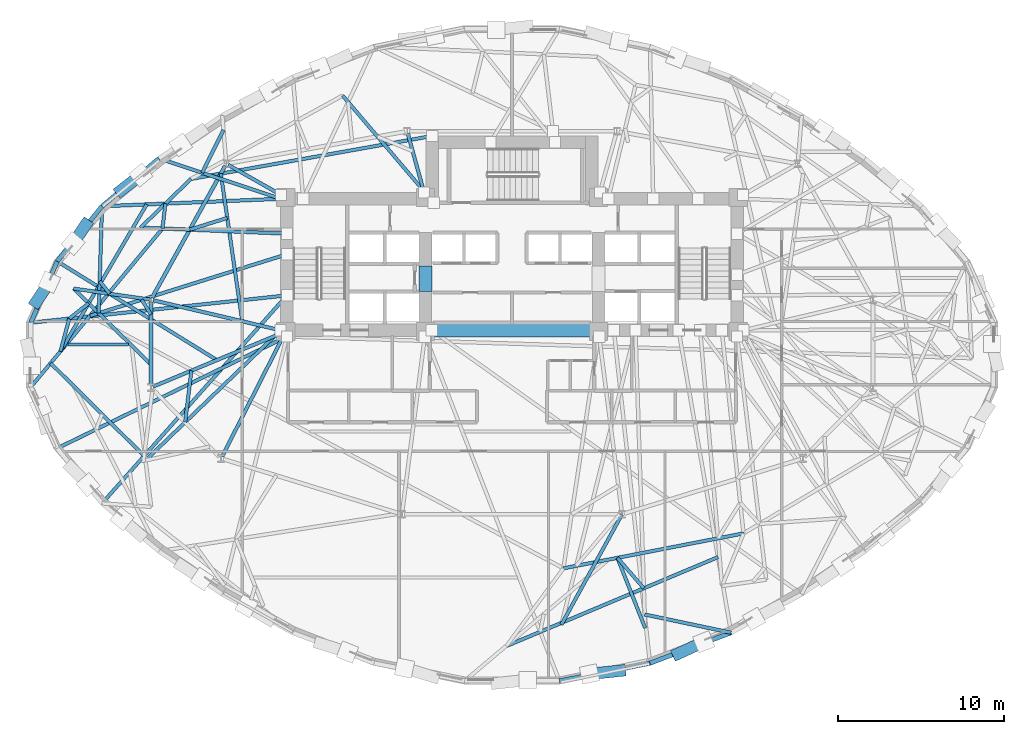
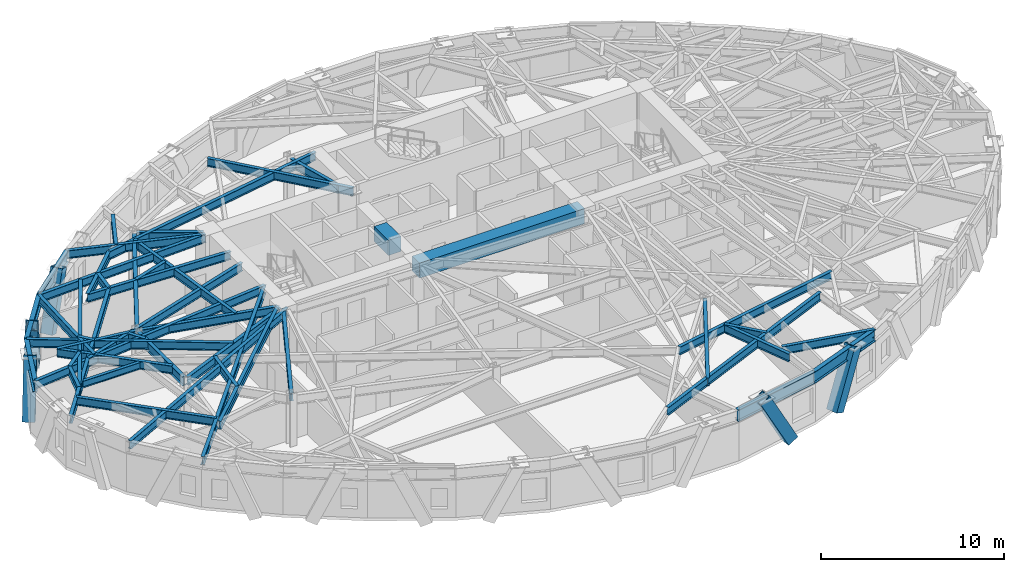
# One storey, part 2 of 14: 48 beams, 5 members.
"""IFC4 building model written with IfcOpenShell, lengths in metres."""

from ifc_helpers import new_model, si_unit, direction, frame, origin, origin_2d, place, context, subcontext, project, spatial, rectangle, hollow_rectangle, i_section, extrude, material, material_profile, profile_set, type_object, element, save


model = new_model("IFC4")

# Units and contexts
model_context = context("Model", 3, precision=1e-05, world=origin(), true_north=direction((0.0, 1.0)))
body_context = subcontext(model_context, "Body", "Model", "MODEL_VIEW")
ifc_project = project(units=[si_unit("LENGTHUNIT", "METRE"), si_unit("AREAUNIT", "SQUARE_METRE"), si_unit("VOLUMEUNIT", "CUBIC_METRE"), si_unit("PLANEANGLEUNIT", "RADIAN"), si_unit("MASSUNIT", "GRAM", prefix="KILO")], contexts=[model_context])

# Site, building, storey
site_placement = place(None, origin())
site = spatial("IfcSite", under=ifc_project, at=site_placement, CompositionType="ELEMENT")
building_placement = place(site_placement, origin())
building = spatial("IfcBuilding", under=site, at=building_placement, Name="Keldmark Tower", CompositionType="ELEMENT")
storey_placement = place(building_placement, frame((0.0, 0.0, 86.10009765625)))
storey = spatial("IfcBuildingStorey", under=building, at=storey_placement, Name="L22", CompositionType="ELEMENT", Elevation=86.10009765625)

# Beams
ifc_material_1 = material(Name="Steel ASTM A992 Grade 50", Category="steel")
ifc_material_profile_1 = material_profile(ifc_material_1, i_section(OverallWidth=0.19091796875, OverallDepth=0.45703125, WebThickness=0.009033203125, FlangeThickness=0.014404296875, at=origin_2d()), Name="W18X50")
ifc_profile_set_1 = profile_set([ifc_material_profile_1], Name="Steel ASTM A992 Grade 50")
beam_type_1 = type_object("IfcBeamType", Name="Composite Floor Joist W18X50", PredefinedType="JOIST", material=ifc_profile_set_1)
beam_1_placement = place(storey_placement, frame((-26.664306640625, 0.6201171875, 3.081298828125), z_axis=(1.0, 0.0, 0.0), x_axis=(0.0, 1.0, 0.0)))
element("IfcBeam", 1, at=beam_1_placement, inside=storey, type_object=beam_type_1, Name="L22 Composite Floor Joist J06", PredefinedType="JOIST", context=body_context, shape_type="SweptSolid", body=[
    extrude(i_section(OverallWidth=0.19091796875, OverallDepth=0.45703125, WebThickness=0.009033203125, FlangeThickness=0.014404296875, at=origin_2d()), origin(), (0.0, 0.0, 1.0), 3.6083984375),
])
ifc_material_2 = material(Name="Concrete C70/85", Category="concrete")
ifc_material_profile_2 = material_profile(ifc_material_2, rectangle(XDim=0.800048828125, YDim=1.0, at=origin_2d()), Name="RCB800X1000")
ifc_profile_set_2 = profile_set([ifc_material_profile_2], Name="Concrete C70/85")
beam_type_2 = type_object("IfcBeamType", Name="Core Coupling Beam RCB800X1000", PredefinedType="USERDEFINED", material=ifc_profile_set_2)
beam_2_placement = place(storey_placement, frame((-5.199951171875, 3.800048828125, 2.809814453125), z_axis=(0.0, 1.0, 0.0), x_axis=(-1.0, 0.0, 0.0)))
element("IfcBeam", 2, at=beam_2_placement, inside=storey, type_object=beam_type_2, Name="L22 West Core Coupling Beam", ObjectType="COUPLING BEAM", PredefinedType="USERDEFINED", context=body_context, shape_type="SweptSolid", body=[
    extrude(rectangle(XDim=0.800048828125, YDim=1.0, at=origin_2d()), origin(), (0.0, 0.0, 1.0), 1.550048828125),
])
beam_3_placement = place(storey_placement, frame((-5.199951171875, 1.47509765625, 2.809814453125), z_axis=(1.0, 0.0, 0.0), x_axis=(0.0, 1.0, 0.0)))
element("IfcBeam", 3, at=beam_3_placement, inside=storey, type_object=beam_type_2, Name="L22 Central South Core Coupling Beam", ObjectType="COUPLING BEAM", PredefinedType="USERDEFINED", context=body_context, shape_type="SweptSolid", body=[
    extrude(rectangle(XDim=0.800048828125, YDim=1.0, at=origin_2d()), origin(), (0.0, 0.0, 1.0), 10.39990234375),
])

# Members
ifc_material_3 = material(Name="Steel ASTM A572 Grade 50", Category="steel")
ifc_material_profile_3 = material_profile(ifc_material_3, hollow_rectangle(XDim=0.699951171875, YDim=0.699951171875, WallThickness=0.054931640625, at=origin_2d()), Name="BOX700X700X55")
ifc_profile_set_3 = profile_set([ifc_material_profile_3], Name="Steel ASTM A572 Grade 50")
member_type = type_object("IfcMemberType", Name="Diagrid Zone 1 Brace BOX700X700X55", PredefinedType="BRACE", material=ifc_profile_set_3)
member_1_placement = place(storey_placement, frame((-23.507080078125, 9.8671875, -0.27001953125), z_axis=(0.317322312779, 0.247889891399, 0.915345372827), x_axis=(-0.615616027477, 0.788046259248, 0.0)))
element("IfcMember", 4, at=member_1_placement, inside=storey, type_object=member_type, Name="L22 Perimeter Diagrid Brace 07A", PredefinedType="BRACE", context=body_context, shape_type="SweptSolid", body=[
    extrude(hollow_rectangle(XDim=0.699951171875, YDim=0.699951171875, WallThickness=0.054931640625, at=origin_2d()), origin(), (0.0, 0.0, 1.0), 3.780029296875),
])
member_2_placement = place(storey_placement, frame((-25.6044921875, 7.829345703125, -0.27001953125), z_axis=(-0.207872561908, -0.305185773855, 0.929328059106), x_axis=(0.826490251962, -0.562951031096, 0.0)))
element("IfcMember", 5, at=member_2_placement, inside=storey, type_object=member_type, Name="L22 Perimeter Diagrid Brace 07B", PredefinedType="BRACE", context=body_context, shape_type="SweptSolid", body=[
    extrude(hollow_rectangle(XDim=0.699951171875, YDim=0.699951171875, WallThickness=0.054931640625, at=origin_2d()), origin(), (0.0, 0.0, 1.0), 3.72314453125),
])
member_3_placement = place(storey_placement, frame((-28.591552734375, 3.16943359375, -0.27001953125), z_axis=(0.211574579033, 0.320944566162, 0.923163464917), x_axis=(-0.834906882292, 0.550391222587, 0.0)))
element("IfcMember", 6, at=member_3_placement, inside=storey, type_object=member_type, Name="L22 Perimeter Diagrid Brace 08A", PredefinedType="BRACE", context=body_context, shape_type="SweptSolid", body=[
    extrude(hollow_rectangle(XDim=0.699951171875, YDim=0.699951171875, WallThickness=0.054931640625, at=origin_2d()), origin(), (0.0, 0.0, 1.0), 3.748046875),
])
member_4_placement = place(storey_placement, frame((6.520751953125, -18.980224609375, -0.27001953125), z_axis=(-0.473874502884, -0.050557366128, 0.879139868421), x_axis=(0.106087290074, -0.994356820706, 0.0)))
element("IfcMember", 7, at=member_4_placement, inside=storey, type_object=member_type, Name="L22 Perimeter Diagrid Brace 13A", PredefinedType="BRACE", context=body_context, shape_type="SweptSolid", body=[
    extrude(hollow_rectangle(XDim=0.699951171875, YDim=0.699951171875, WallThickness=0.054931640625, at=origin_2d()), origin(), (0.0, 0.0, 1.0), 3.935546875),
])
member_5_placement = place(storey_placement, frame((9.95458984375, -17.968505859375, -0.27001953125), z_axis=(0.405973161866, 0.185876359025, 0.89478252721), x_axis=(-0.416294370587, 0.909229892281, 0.0)))
element("IfcMember", 8, at=member_5_placement, inside=storey, type_object=member_type, Name="L22 Perimeter Diagrid Brace 13B", PredefinedType="BRACE", context=body_context, shape_type="SweptSolid", body=[
    extrude(hollow_rectangle(XDim=0.699951171875, YDim=0.699951171875, WallThickness=0.054931640625, at=origin_2d()), origin(), (0.0, 0.0, 1.0), 3.86669921875),
])

# Beams
ifc_material_4 = material(Name="Steel ASTM A992 Grade 50", Category="steel")
ifc_material_profile_4 = material_profile(ifc_material_4, i_section(OverallWidth=0.22900390625, OverallDepth=0.612060546875, WebThickness=0.011962890625, FlangeThickness=0.01953125, at=origin_2d()), Name="W24X84")
ifc_profile_set_4 = profile_set([ifc_material_profile_4], Name="Steel ASTM A992 Grade 50")
beam_type_3 = type_object("IfcBeamType", Name="Primary Floor Girder W24X84", PredefinedType="BEAM", material=ifc_profile_set_4)
beam_4_placement = place(storey_placement, frame((-17.235107421875, 11.35595703125, 3.00390625), z_axis=(-0.484951836703, -0.874540860154, 0.0), x_axis=(0.874540860154, -0.484951836703, 0.0)))
element("IfcBeam", 9, at=beam_4_placement, inside=storey, type_object=beam_type_3, Name="L22 Floor Ring Girder FG-R05", PredefinedType="BEAM", context=body_context, shape_type="SweptSolid", body=[
    extrude(i_section(OverallWidth=0.22900390625, OverallDepth=0.612060546875, WebThickness=0.011962890625, FlangeThickness=0.01953125, at=origin_2d()), origin(), (0.0, 0.0, 1.0), 9.060302734375),
])
beam_5_placement = place(storey_placement, frame((-21.697021484375, 3.169921875, 3.00390625), z_axis=(0.0, -1.0, 0.0), x_axis=(1.0, 0.0, 0.0)))
element("IfcBeam", 10, at=beam_5_placement, inside=storey, type_object=beam_type_3, Name="L22 Floor Ring Girder FG-R06", PredefinedType="BEAM", context=body_context, shape_type="SweptSolid", body=[
    extrude(i_section(OverallWidth=0.22900390625, OverallDepth=0.612060546875, WebThickness=0.011962890625, FlangeThickness=0.01953125, at=origin_2d()), origin(), (0.0, 0.0, 1.0), 4.995849609375),
])
ifc_material_5 = material(Name="Steel ASTM A992 Grade 50", Category="steel")
ifc_material_profile_5 = material_profile(ifc_material_5, i_section(OverallWidth=0.2099609375, OverallDepth=0.537109375, WebThickness=0.010986328125, FlangeThickness=0.017333984375, at=origin_2d()), Name="W21X68")
ifc_profile_set_5 = profile_set([ifc_material_profile_5], Name="Steel ASTM A992 Grade 50")
beam_type_4 = type_object("IfcBeamType", Name="Radial Tie Girder W21X68", PredefinedType="BEAM", material=ifc_profile_set_5)
beam_6_placement = place(storey_placement, frame((-4.699951171875, 9.139892578125, 3.04150390625), z_axis=(-0.64800811317, 0.761633432345, 0.0), x_axis=(-0.761633432345, -0.64800811317, 0.0)))
element("IfcBeam", 11, at=beam_6_placement, inside=storey, type_object=beam_type_4, Name="L22 Sub-Ring Step Girder STP1-M05", PredefinedType="BEAM", context=body_context, shape_type="SweptSolid", body=[
    extrude(i_section(OverallWidth=0.2099609375, OverallDepth=0.537109375, WebThickness=0.010986328125, FlangeThickness=0.017333984375, at=origin_2d()), origin(), (0.0, 0.0, 1.0), 8.45068359375),
])
beam_7_placement = place(storey_placement, frame((-16.206298828125, 2.014892578125, 3.04150390625), z_axis=(-0.14365864997, 0.989627299689, 0.0), x_axis=(-0.989627299689, -0.14365864997, 0.0)))
element("IfcBeam", 12, at=beam_7_placement, inside=storey, type_object=beam_type_4, Name="L22 Framing Pin Header PH-003", PredefinedType="BEAM", context=body_context, shape_type="SweptSolid", body=[
    extrude(i_section(OverallWidth=0.2099609375, OverallDepth=0.537109375, WebThickness=0.010986328125, FlangeThickness=0.017333984375, at=origin_2d()), origin(), (0.0, 0.0, 1.0), 8.96630859375),
])
beam_8_placement = place(storey_placement, frame((-4.800048828125, 13.14990234375, 3.04150390625), z_axis=(-0.984494966601, -0.175412829455, 0.0), x_axis=(0.175412829455, -0.984494966601, 0.0)))
element("IfcBeam", 13, at=beam_8_placement, inside=storey, type_object=beam_type_4, Name="L22 Sub-Ring Step Girder STP1-M06", PredefinedType="BEAM", context=body_context, shape_type="SweptSolid", body=[
    extrude(i_section(OverallWidth=0.2099609375, OverallDepth=0.537109375, WebThickness=0.010986328125, FlangeThickness=0.017333984375, at=origin_2d()), origin(), (0.0, 0.0, 1.0), 14.717041015625),
])
beam_9_placement = place(storey_placement, frame((-21.697021484375, 2.42041015625, 3.04150390625), z_axis=(-0.524162442178, 0.851618303121, 0.0), x_axis=(-0.851618303121, -0.524162442178, 0.0)))
element("IfcBeam", 14, at=beam_9_placement, inside=storey, type_object=beam_type_4, Name="L22 Framing Pin Header PH-006", PredefinedType="BEAM", context=body_context, shape_type="SweptSolid", body=[
    extrude(i_section(OverallWidth=0.2099609375, OverallDepth=0.537109375, WebThickness=0.010986328125, FlangeThickness=0.017333984375, at=origin_2d()), origin(), (0.0, 0.0, 1.0), 1.047607421875),
])
beam_10_placement = place(storey_placement, frame((-13.52490234375, 6.04296875, 3.04150390625), z_axis=(-0.954325264738, -0.298769625436, 0.0), x_axis=(0.298769625436, -0.954325264738, 0.0)))
element("IfcBeam", 15, at=beam_10_placement, inside=storey, type_object=beam_type_4, Name="L22 Sub-Ring Step Girder STP2-M07", PredefinedType="BEAM", context=body_context, shape_type="SweptSolid", body=[
    extrude(i_section(OverallWidth=0.2099609375, OverallDepth=0.537109375, WebThickness=0.010986328125, FlangeThickness=0.017333984375, at=origin_2d()), origin(), (0.0, 0.0, 1.0), 12.39306640625),
])
beam_11_placement = place(storey_placement, frame((3.08984375, -12.829345703125, 3.04150390625), z_axis=(0.981695523158, 0.190457081284, 0.0), x_axis=(-0.190457081284, 0.981695523158, 0.0)))
element("IfcBeam", 16, at=beam_11_placement, inside=storey, type_object=beam_type_4, Name="L22 Perimeter Collector Ring Beam CRG2-M10", PredefinedType="BEAM", context=body_context, shape_type="SweptSolid", body=[
    extrude(i_section(OverallWidth=0.2099609375, OverallDepth=0.537109375, WebThickness=0.010986328125, FlangeThickness=0.017333984375, at=origin_2d()), origin(), (0.0, 0.0, 1.0), 11.024169921875),
])
beam_12_placement = place(storey_placement, frame((-17.3369140625, 13.509033203125, 3.04150390625), z_axis=(-0.445171141677, -0.895445506225, 0.0), x_axis=(0.895445506225, -0.445171141677, 0.0)))
element("IfcBeam", 17, at=beam_12_placement, inside=storey, type_object=beam_type_4, Name="L22 Framing Pin Header PH-019", PredefinedType="BEAM", context=body_context, shape_type="SweptSolid", body=[
    extrude(i_section(OverallWidth=0.2099609375, OverallDepth=0.537109375, WebThickness=0.010986328125, FlangeThickness=0.017333984375, at=origin_2d()), origin(), (0.0, 0.0, 1.0), 2.870361328125),
])
beam_13_placement = place(storey_placement, frame((-13.89990234375, 9.375, 3.04150390625), z_axis=(-0.94915433087, 0.31481114369, 0.0), x_axis=(-0.31481114369, -0.94915433087, 0.0)))
element("IfcBeam", 18, at=beam_13_placement, inside=storey, type_object=beam_type_4, Name="L22 Perimeter Radial Tie Girder RT-13", PredefinedType="BEAM", context=body_context, shape_type="SweptSolid", body=[
    extrude(i_section(OverallWidth=0.2099609375, OverallDepth=0.537109375, WebThickness=0.010986328125, FlangeThickness=0.017333984375, at=origin_2d()), origin(), (0.0, 0.0, 1.0), 7.70556640625),
])
beam_14_placement = place(storey_placement, frame((-17.10791015625, 8.22607421875, 3.04150390625), z_axis=(-0.954262743442, -0.298969256744, 0.0), x_axis=(0.298969256744, -0.954262743442, 0.0)))
element("IfcBeam", 19, at=beam_14_placement, inside=storey, type_object=beam_type_4, Name="L22 Framing Pin Header PH-020", PredefinedType="BEAM", context=body_context, shape_type="SweptSolid", body=[
    extrude(i_section(OverallWidth=0.2099609375, OverallDepth=0.537109375, WebThickness=0.010986328125, FlangeThickness=0.017333984375, at=origin_2d()), origin(), (0.0, 0.0, 1.0), 2.362548828125),
])
beam_15_placement = place(storey_placement, frame((-13.52490234375, 7.278564453125, 3.04150390625), z_axis=(-0.999147003505, 0.041294859084, 0.0), x_axis=(-0.041294859084, -0.999147003505, 0.0)))
element("IfcBeam", 20, at=beam_15_placement, inside=storey, type_object=beam_type_4, Name="L22 Intermediate Radial Step Girder RT-14M", PredefinedType="BEAM", context=body_context, shape_type="SweptSolid", body=[
    extrude(i_section(OverallWidth=0.2099609375, OverallDepth=0.537109375, WebThickness=0.010986328125, FlangeThickness=0.017333984375, at=origin_2d()), origin(), (0.0, 0.0, 1.0), 8.80322265625),
])
beam_16_placement = place(storey_placement, frame((-19.288818359375, 10.568359375, 3.04150390625), z_axis=(-0.719511272096, -0.694480762388, 0.0), x_axis=(0.694480762388, -0.719511272096, 0.0)))
element("IfcBeam", 21, at=beam_16_placement, inside=storey, type_object=beam_type_4, Name="L22 Local Collector Chord RT-14C", PredefinedType="BEAM", context=body_context, shape_type="SweptSolid", body=[
    extrude(i_section(OverallWidth=0.2099609375, OverallDepth=0.537109375, WebThickness=0.010986328125, FlangeThickness=0.017333984375, at=origin_2d()), origin(), (0.0, 0.0, 1.0), 4.213623046875),
])
beam_17_placement = place(storey_placement, frame((-21.001220703125, 7.587646484375, 3.04150390625), z_axis=(0.116437208793, 0.993198054976, 0.0), x_axis=(-0.993198054976, 0.116437208793, 0.0)))
element("IfcBeam", 22, at=beam_17_placement, inside=storey, type_object=beam_type_4, Name="L22 Framing Pin Header PH-021", PredefinedType="BEAM", context=body_context, shape_type="SweptSolid", body=[
    extrude(i_section(OverallWidth=0.2099609375, OverallDepth=0.537109375, WebThickness=0.010986328125, FlangeThickness=0.017333984375, at=origin_2d()), origin(), (0.0, 0.0, 1.0), 1.507568359375),
])
beam_18_placement = place(storey_placement, frame((-13.89990234375, 9.375, 3.04150390625), z_axis=(-0.999124664837, -0.041831855267, 0.0), x_axis=(0.041831855267, -0.999124664837, 0.0)))
element("IfcBeam", 23, at=beam_18_placement, inside=storey, type_object=beam_type_4, Name="L22 Perimeter Radial Tie Girder RT-14", PredefinedType="BEAM", context=body_context, shape_type="SweptSolid", body=[
    extrude(i_section(OverallWidth=0.2099609375, OverallDepth=0.537109375, WebThickness=0.010986328125, FlangeThickness=0.017333984375, at=origin_2d()), origin(), (0.0, 0.0, 1.0), 10.74462890625),
])
beam_19_placement = place(storey_placement, frame((-24.635009765625, 8.925537109375, 3.04150390625), z_axis=(-0.03107582404, -0.99951702995, 0.0), x_axis=(0.99951702995, -0.03107582404, 0.0)))
element("IfcBeam", 24, at=beam_19_placement, inside=storey, type_object=beam_type_4, Name="L22 Framing Pin Header PH-022", PredefinedType="BEAM", context=body_context, shape_type="SweptSolid", body=[
    extrude(i_section(OverallWidth=0.2099609375, OverallDepth=0.537109375, WebThickness=0.010986328125, FlangeThickness=0.017333984375, at=origin_2d()), origin(), (0.0, 0.0, 1.0), 6.426513671875),
])
beam_20_placement = place(storey_placement, frame((-21.697021484375, -0.576904296875, 3.04150390625), z_axis=(-0.713754955938, 0.700395504607, 0.0), x_axis=(-0.700395504607, -0.713754955938, 0.0)))
element("IfcBeam", 25, at=beam_20_placement, inside=storey, type_object=beam_type_4, Name="L22 Intermediate Radial Step Girder RT-15M", PredefinedType="BEAM", context=body_context, shape_type="SweptSolid", body=[
    extrude(i_section(OverallWidth=0.2099609375, OverallDepth=0.537109375, WebThickness=0.010986328125, FlangeThickness=0.017333984375, at=origin_2d()), origin(), (0.0, 0.0, 1.0), 6.505859375),
])
beam_21_placement = place(storey_placement, frame((-21.697021484375, 3.309814453125, 3.04150390625), z_axis=(-0.989752885272, 0.142790847381, 0.0), x_axis=(-0.142790847381, -0.989752885272, 0.0)))
element("IfcBeam", 26, at=beam_21_placement, inside=storey, type_object=beam_type_4, Name="L22 Local Collector Chord RT-15C", PredefinedType="BEAM", context=body_context, shape_type="SweptSolid", body=[
    extrude(i_section(OverallWidth=0.2099609375, OverallDepth=0.537109375, WebThickness=0.010986328125, FlangeThickness=0.017333984375, at=origin_2d()), origin(), (0.0, 0.0, 1.0), 4.691650390625),
])
beam_22_placement = place(storey_placement, frame((-24.77490234375, 4.42919921875, 3.04150390625), z_axis=(0.619530150465, -0.784972861101, 0.0), x_axis=(0.784972861101, 0.619530150465, 0.0)))
element("IfcBeam", 27, at=beam_22_placement, inside=storey, type_object=beam_type_4, Name="L22 Framing Pin Header PH-023", PredefinedType="BEAM", context=body_context, shape_type="SweptSolid", body=[
    extrude(i_section(OverallWidth=0.2099609375, OverallDepth=0.537109375, WebThickness=0.010986328125, FlangeThickness=0.017333984375, at=origin_2d()), origin(), (0.0, 0.0, 1.0), 0.970947265625),
])
beam_23_placement = place(storey_placement, frame((-17.7314453125, -0.3173828125, 3.04150390625), z_axis=(-0.850455035467, 0.526047747499, 0.0), x_axis=(-0.526047747499, -0.850455035467, 0.0)))
element("IfcBeam", 28, at=beam_23_placement, inside=storey, type_object=beam_type_4, Name="L22 Perimeter Radial Tie Girder RT-15", PredefinedType="BEAM", context=body_context, shape_type="SweptSolid", body=[
    extrude(i_section(OverallWidth=0.2099609375, OverallDepth=0.537109375, WebThickness=0.010986328125, FlangeThickness=0.017333984375, at=origin_2d()), origin(), (0.0, 0.0, 1.0), 11.28564453125),
])
beam_24_placement = place(storey_placement, frame((-13.52490234375, 3.5712890625, 3.04150390625), z_axis=(-0.994357047975, -0.106085159857, 0.0), x_axis=(0.106085159857, -0.994357047975, 0.0)))
element("IfcBeam", 29, at=beam_24_placement, inside=storey, type_object=beam_type_4, Name="L22 Perimeter Radial Tie Girder RT-16", PredefinedType="BEAM", context=body_context, shape_type="SweptSolid", body=[
    extrude(i_section(OverallWidth=0.2099609375, OverallDepth=0.537109375, WebThickness=0.010986328125, FlangeThickness=0.017333984375, at=origin_2d()), origin(), (0.0, 0.0, 1.0), 15.47216796875),
])
beam_25_placement = place(storey_placement, frame((-26.601806640625, 2.17626953125, 3.04150390625), z_axis=(0.785729363036, 0.618570422881, 0.0), x_axis=(-0.618570422881, 0.785729363036, 0.0)))
element("IfcBeam", 30, at=beam_25_placement, inside=storey, type_object=beam_type_4, Name="L22 Framing Pin Header PH-024", PredefinedType="BEAM", context=body_context, shape_type="SweptSolid", body=[
    extrude(i_section(OverallWidth=0.2099609375, OverallDepth=0.537109375, WebThickness=0.010986328125, FlangeThickness=0.017333984375, at=origin_2d()), origin(), (0.0, 0.0, 1.0), 1.482421875),
])
beam_26_placement = place(storey_placement, frame((-21.951171875, 9.037841796875, 3.04150390625), z_axis=(-0.50583698162, -0.862629090644, 0.0), x_axis=(0.862629090644, -0.50583698162, 0.0)))
element("IfcBeam", 31, at=beam_26_placement, inside=storey, type_object=beam_type_4, Name="L22 Intermediate Radial Step Girder RT-17M", PredefinedType="BEAM", context=body_context, shape_type="SweptSolid", body=[
    extrude(i_section(OverallWidth=0.2099609375, OverallDepth=0.537109375, WebThickness=0.010986328125, FlangeThickness=0.017333984375, at=origin_2d()), origin(), (0.0, 0.0, 1.0), 10.2392578125),
])
beam_27_placement = place(storey_placement, frame((-26.601806640625, 2.17626953125, 3.04150390625), z_axis=(-0.259106791962, -0.96584867881, 0.0), x_axis=(0.96584867881, -0.259106791962, 0.0)))
element("IfcBeam", 32, at=beam_27_placement, inside=storey, type_object=beam_type_4, Name="L22 Local Collector Chord RT-17C", PredefinedType="BEAM", context=body_context, shape_type="SweptSolid", body=[
    extrude(i_section(OverallWidth=0.2099609375, OverallDepth=0.537109375, WebThickness=0.010986328125, FlangeThickness=0.017333984375, at=origin_2d()), origin(), (0.0, 0.0, 1.0), 2.040771484375),
])
beam_28_placement = place(storey_placement, frame((-21.001220703125, 7.587646484375, 3.04150390625), z_axis=(-0.639093141422, -0.769129349711, 0.0), x_axis=(0.769129349711, -0.639093141422, 0.0)))
element("IfcBeam", 33, at=beam_28_placement, inside=storey, type_object=beam_type_4, Name="L22 Perimeter Radial Tie Girder RT-17", PredefinedType="BEAM", context=body_context, shape_type="SweptSolid", body=[
    extrude(i_section(OverallWidth=0.2099609375, OverallDepth=0.537109375, WebThickness=0.010986328125, FlangeThickness=0.017333984375, at=origin_2d()), origin(), (0.0, 0.0, 1.0), 12.37451171875),
])
beam_29_placement = place(storey_placement, frame((-19.26611328125, -0.955322265625, 3.04150390625), z_axis=(-0.119083393957, -0.992884255734, 0.0), x_axis=(0.992884255734, -0.119083393957, 0.0)))
element("IfcBeam", 34, at=beam_29_placement, inside=storey, type_object=beam_type_4, Name="L22 Framing Pin Header PH-025", PredefinedType="BEAM", context=body_context, shape_type="SweptSolid", body=[
    extrude(i_section(OverallWidth=0.2099609375, OverallDepth=0.537109375, WebThickness=0.010986328125, FlangeThickness=0.017333984375, at=origin_2d()), origin(), (0.0, 0.0, 1.0), 3.1142578125),
])
beam_30_placement = place(storey_placement, frame((-13.89990234375, 1.47509765625, 3.04150390625), z_axis=(-0.720447985296, -0.693508976498, 0.0), x_axis=(0.693508976498, -0.720447985296, 0.0)))
element("IfcBeam", 35, at=beam_30_placement, inside=storey, type_object=beam_type_4, Name="L22 Intermediate Radial Step Girder RT-19M", PredefinedType="BEAM", context=body_context, shape_type="SweptSolid", body=[
    extrude(i_section(OverallWidth=0.2099609375, OverallDepth=0.537109375, WebThickness=0.010986328125, FlangeThickness=0.017333984375, at=origin_2d()), origin(), (0.0, 0.0, 1.0), 11.455322265625),
])
beam_31_placement = place(storey_placement, frame((-27.723388671875, -0.50244140625, 3.04150390625), z_axis=(0.709861521338, -0.704341267088, 0.0), x_axis=(0.704341267088, 0.709861521338, 0.0)))
element("IfcBeam", 36, at=beam_31_placement, inside=storey, type_object=beam_type_4, Name="L22 Framing Pin Header PH-026", PredefinedType="BEAM", context=body_context, shape_type="SweptSolid", body=[
    extrude(i_section(OverallWidth=0.2099609375, OverallDepth=0.537109375, WebThickness=0.010986328125, FlangeThickness=0.017333984375, at=origin_2d()), origin(), (0.0, 0.0, 1.0), 7.91650390625),
])
beam_32_placement = place(storey_placement, frame((-13.52490234375, 3.5712890625, 3.04150390625), z_axis=(-0.664424554543, -0.747355344746, 0.0), x_axis=(0.747355344746, -0.664424554543, 0.0)))
element("IfcBeam", 37, at=beam_32_placement, inside=storey, type_object=beam_type_4, Name="L22 Perimeter Radial Tie Girder RT-19", PredefinedType="BEAM", context=body_context, shape_type="SweptSolid", body=[
    extrude(i_section(OverallWidth=0.2099609375, OverallDepth=0.537109375, WebThickness=0.010986328125, FlangeThickness=0.017333984375, at=origin_2d()), origin(), (0.0, 0.0, 1.0), 16.721435546875),
])
beam_33_placement = place(storey_placement, frame((6.61279296875, -9.579345703125, 3.04150390625), z_axis=(-0.481510059088, -0.876440564441, 0.0), x_axis=(0.876440564441, -0.481510059088, 0.0)))
element("IfcBeam", 38, at=beam_33_placement, inside=storey, type_object=beam_type_4, Name="L22 Local Collector Chord RT-25C", PredefinedType="BEAM", context=body_context, shape_type="SweptSolid", body=[
    extrude(i_section(OverallWidth=0.2099609375, OverallDepth=0.537109375, WebThickness=0.010986328125, FlangeThickness=0.017333984375, at=origin_2d()), origin(), (0.0, 0.0, 1.0), 7.568359375),
])
beam_34_placement = place(storey_placement, frame((-13.52490234375, 1.10009765625, 3.04150390625), z_axis=(-0.899137513837, -0.437666232661, 0.0), x_axis=(0.437666232661, -0.899137513837, 0.0)))
element("IfcBeam", 39, at=beam_34_placement, inside=storey, type_object=beam_type_4, Name="L22 Perimeter Radial Tie Girder RT-18R", PredefinedType="BEAM", context=body_context, shape_type="SweptSolid", body=[
    extrude(i_section(OverallWidth=0.2099609375, OverallDepth=0.537109375, WebThickness=0.010986328125, FlangeThickness=0.017333984375, at=origin_2d()), origin(), (0.0, 0.0, 1.0), 15.35302734375),
])
beam_35_placement = place(storey_placement, frame((12.37841796875, -12.155029296875, 3.04150390625), z_axis=(-0.921902809185, -0.387421231242, 0.0), x_axis=(0.387421231242, -0.921902809185, 0.0)))
element("IfcBeam", 40, at=beam_35_placement, inside=storey, type_object=beam_type_4, Name="L22 Crown Step Radial Girder RT-24RN2", PredefinedType="BEAM", context=body_context, shape_type="SweptSolid", body=[
    extrude(i_section(OverallWidth=0.2099609375, OverallDepth=0.537109375, WebThickness=0.010986328125, FlangeThickness=0.017333984375, at=origin_2d()), origin(), (0.0, 0.0, 1.0), 13.787353515625),
])
beam_36_placement = place(storey_placement, frame((6.336669921875, -12.199462890625, 3.04150390625), z_axis=(0.655184008579, -0.755469334191, 0.0), x_axis=(0.755469334191, 0.655184008579, 0.0)))
element("IfcBeam", 41, at=beam_36_placement, inside=storey, type_object=beam_type_4, Name="L22 Framing Pin Header PH-047", PredefinedType="BEAM", context=body_context, shape_type="SweptSolid", body=[
    extrude(i_section(OverallWidth=0.2099609375, OverallDepth=0.537109375, WebThickness=0.010986328125, FlangeThickness=0.017333984375, at=origin_2d()), origin(), (0.0, 0.0, 1.0), 2.419921875),
])
beam_37_placement = place(storey_placement, frame((7.999755859375, -16.4140625, 3.04150390625), z_axis=(-0.367057343796, 0.930198315611, 0.0), x_axis=(-0.930198315611, -0.367057343796, 0.0)))
element("IfcBeam", 42, at=beam_37_placement, inside=storey, type_object=beam_type_4, Name="L22 Crown Step Collector Chord RT-26RP1", PredefinedType="BEAM", context=body_context, shape_type="SweptSolid", body=[
    extrude(i_section(OverallWidth=0.2099609375, OverallDepth=0.537109375, WebThickness=0.010986328125, FlangeThickness=0.017333984375, at=origin_2d()), origin(), (0.0, 0.0, 1.0), 4.53076171875),
])
beam_38_placement = place(storey_placement, frame((13.16748046875, -16.6982421875, 3.04150390625), z_axis=(-0.978475060333, 0.206365104381, 0.0), x_axis=(-0.206365104381, -0.978475060333, 0.0)))
element("IfcBeam", 43, at=beam_38_placement, inside=storey, type_object=beam_type_4, Name="L22 Framing Pin Header PH-048", PredefinedType="BEAM", context=body_context, shape_type="SweptSolid", body=[
    extrude(i_section(OverallWidth=0.2099609375, OverallDepth=0.537109375, WebThickness=0.010986328125, FlangeThickness=0.017333984375, at=origin_2d()), origin(), (0.0, 0.0, 1.0), 5.308349609375),
])
ifc_material_6 = material(Name="Steel ASTM A992 Grade 50", Category="steel")
ifc_material_profile_6 = material_profile(ifc_material_6, i_section(OverallWidth=0.214111328125, OverallDepth=0.549072265625, WebThickness=0.0146484375, FlangeThickness=0.023681640625, at=origin_2d()), Name="W21X93")
ifc_profile_set_6 = profile_set([ifc_material_profile_6], Name="Steel ASTM A992 Grade 50")
beam_type_5 = type_object("IfcBeamType", Name="Radial Tie Girder W21X93", PredefinedType="BEAM", material=ifc_profile_set_6)
beam_39_placement = place(storey_placement, frame((-6.26171875, 13.297607421875, 3.035400390625), z_axis=(0.265997186795, -0.963973804944, 0.0), x_axis=(0.963973804944, 0.265997186795, 0.0)))
element("IfcBeam", 44, at=beam_39_placement, inside=storey, type_object=beam_type_5, Name="L22 Floor Radial Girder FG-C04", PredefinedType="BEAM", context=body_context, shape_type="SweptSolid", body=[
    extrude(i_section(OverallWidth=0.214111328125, OverallDepth=0.549072265625, WebThickness=0.0146484375, FlangeThickness=0.023681640625, at=origin_2d()), origin(), (0.0, 0.0, 1.0), 3.67138671875),
])
beam_40_placement = place(storey_placement, frame((-17.04541015625, 11.4091796875, 3.035400390625), z_axis=(0.86928447329, -0.494312152892, 0.0), x_axis=(0.494312152892, 0.86928447329, 0.0)))
element("IfcBeam", 45, at=beam_40_placement, inside=storey, type_object=beam_type_5, Name="L22 Floor Radial Girder FG-C05", PredefinedType="BEAM", context=body_context, shape_type="SweptSolid", body=[
    extrude(i_section(OverallWidth=0.214111328125, OverallDepth=0.549072265625, WebThickness=0.0146484375, FlangeThickness=0.023681640625, at=origin_2d()), origin(), (0.0, 0.0, 1.0), 3.6435546875),
])
beam_41_placement = place(storey_placement, frame((-21.560546875, 3.27783203125, 3.035400390625), z_axis=(0.973283778272, -0.229605502879, 0.0), x_axis=(0.229605502879, 0.973283778272, 0.0)))
element("IfcBeam", 46, at=beam_41_placement, inside=storey, type_object=beam_type_5, Name="L22 Floor Radial Girder FG-C06", PredefinedType="BEAM", context=body_context, shape_type="SweptSolid", body=[
    extrude(i_section(OverallWidth=0.214111328125, OverallDepth=0.549072265625, WebThickness=0.0146484375, FlangeThickness=0.023681640625, at=origin_2d()), origin(), (0.0, 0.0, 1.0), 7.85888671875),
])
beam_42_placement = place(storey_placement, frame((-21.567626953125, -1.912109375, 3.035400390625), z_axis=(0.923397393633, 0.383845350932, 0.0), x_axis=(-0.383845350932, 0.923397393633, 0.0)))
element("IfcBeam", 47, at=beam_42_placement, inside=storey, type_object=beam_type_5, Name="L22 Floor Radial Girder FG-C07", PredefinedType="BEAM", context=body_context, shape_type="SweptSolid", body=[
    extrude(i_section(OverallWidth=0.214111328125, OverallDepth=0.549072265625, WebThickness=0.0146484375, FlangeThickness=0.023681640625, at=origin_2d()), origin(), (0.0, 0.0, 1.0), 8.30859375),
])
beam_43_placement = place(storey_placement, frame((-17.413818359375, -6.104736328125, 3.035400390625), z_axis=(0.453028637759, 0.891495963743, 0.0), x_axis=(-0.891495963743, 0.453028637759, 0.0)))
element("IfcBeam", 48, at=beam_43_placement, inside=storey, type_object=beam_type_5, Name="L22 Floor Radial Girder FG-C08", PredefinedType="BEAM", context=body_context, shape_type="SweptSolid", body=[
    extrude(i_section(OverallWidth=0.214111328125, OverallDepth=0.549072265625, WebThickness=0.0146484375, FlangeThickness=0.023681640625, at=origin_2d()), origin(), (0.0, 0.0, 1.0), 8.09814453125),
])
ifc_material_7 = material(Name="Steel ASTM A992 Grade 50", Category="steel")
ifc_material_profile_7 = material_profile(ifc_material_7, i_section(OverallWidth=0.26806640625, OverallDepth=0.77001953125, WebThickness=0.015625, FlangeThickness=0.025390625, at=origin_2d()), Name="W30X132")
ifc_profile_set_7 = profile_set([ifc_material_profile_7], Name="Steel ASTM A992 Grade 50")
beam_type_6 = type_object("IfcBeamType", Name="Spandrel Ring Beam W30X132", PredefinedType="SPANDREL", material=ifc_profile_set_7)
beam_44_placement = place(storey_placement, frame((-21.213623046875, 11.80078125, 2.9248046875), z_axis=(-0.765563867956, -0.643359902449, 0.0), x_axis=(0.643359902449, -0.765563867956, 0.0)))
element("IfcBeam", 49, at=beam_44_placement, inside=storey, type_object=beam_type_6, Name="L22 Perimeter Spandrel Ring Beam SRB-13", PredefinedType="SPANDREL", context=body_context, shape_type="SweptSolid", body=[
    extrude(i_section(OverallWidth=0.26806640625, OverallDepth=0.77001953125, WebThickness=0.015625, FlangeThickness=0.025390625, at=origin_2d()), origin(), (0.0, 0.0, 1.0), 4.468994140625),
])
beam_45_placement = place(storey_placement, frame((-24.635009765625, 8.925537109375, 2.9248046875), z_axis=(-0.631734109106, -0.775185149104, 0.0), x_axis=(0.775185149104, -0.631734109106, 0.0)))
element("IfcBeam", 50, at=beam_45_placement, inside=storey, type_object=beam_type_6, Name="L22 Perimeter Spandrel Ring Beam SRB-14", PredefinedType="SPANDREL", context=body_context, shape_type="SweptSolid", body=[
    extrude(i_section(OverallWidth=0.26806640625, OverallDepth=0.77001953125, WebThickness=0.015625, FlangeThickness=0.025390625, at=origin_2d()), origin(), (0.0, 0.0, 1.0), 4.264892578125),
])
beam_46_placement = place(storey_placement, frame((-27.329345703125, 5.619384765625, 2.9248046875), z_axis=(-0.393735759778, -0.919223667815, 0.0), x_axis=(0.919223667815, -0.393735759778, 0.0)))
element("IfcBeam", 51, at=beam_46_placement, inside=storey, type_object=beam_type_6, Name="L22 Perimeter Spandrel Ring Beam SRB-15", PredefinedType="SPANDREL", context=body_context, shape_type="SweptSolid", body=[
    extrude(i_section(OverallWidth=0.26806640625, OverallDepth=0.77001953125, WebThickness=0.015625, FlangeThickness=0.025390625, at=origin_2d()), origin(), (0.0, 0.0, 1.0), 4.013671875),
])
beam_47_placement = place(storey_placement, frame((2.847412109375, -19.595947265625, 2.9248046875), z_axis=(0.981183659994, 0.193076734386, 0.0), x_axis=(-0.193076734386, 0.981183659994, 0.0)))
element("IfcBeam", 52, at=beam_47_placement, inside=storey, type_object=beam_type_6, Name="L22 Perimeter Spandrel Ring Beam SRB-25", PredefinedType="SPANDREL", context=body_context, shape_type="SweptSolid", body=[
    extrude(i_section(OverallWidth=0.26806640625, OverallDepth=0.77001953125, WebThickness=0.015625, FlangeThickness=0.025390625, at=origin_2d()), origin(), (0.0, 0.0, 1.0), 5.54736328125),
])
beam_48_placement = place(storey_placement, frame((8.290283203125, -18.52490234375, 2.9248046875), z_axis=(0.936473584013, 0.350738116613, 0.0), x_axis=(-0.350738116613, 0.936473584013, 0.0)))
element("IfcBeam", 53, at=beam_48_placement, inside=storey, type_object=beam_type_6, Name="L22 Perimeter Spandrel Ring Beam SRB-26", PredefinedType="SPANDREL", context=body_context, shape_type="SweptSolid", body=[
    extrude(i_section(OverallWidth=0.26806640625, OverallDepth=0.77001953125, WebThickness=0.015625, FlangeThickness=0.025390625, at=origin_2d()), origin(), (0.0, 0.0, 1.0), 5.2080078125),
])

save(model, "model.ifc")
